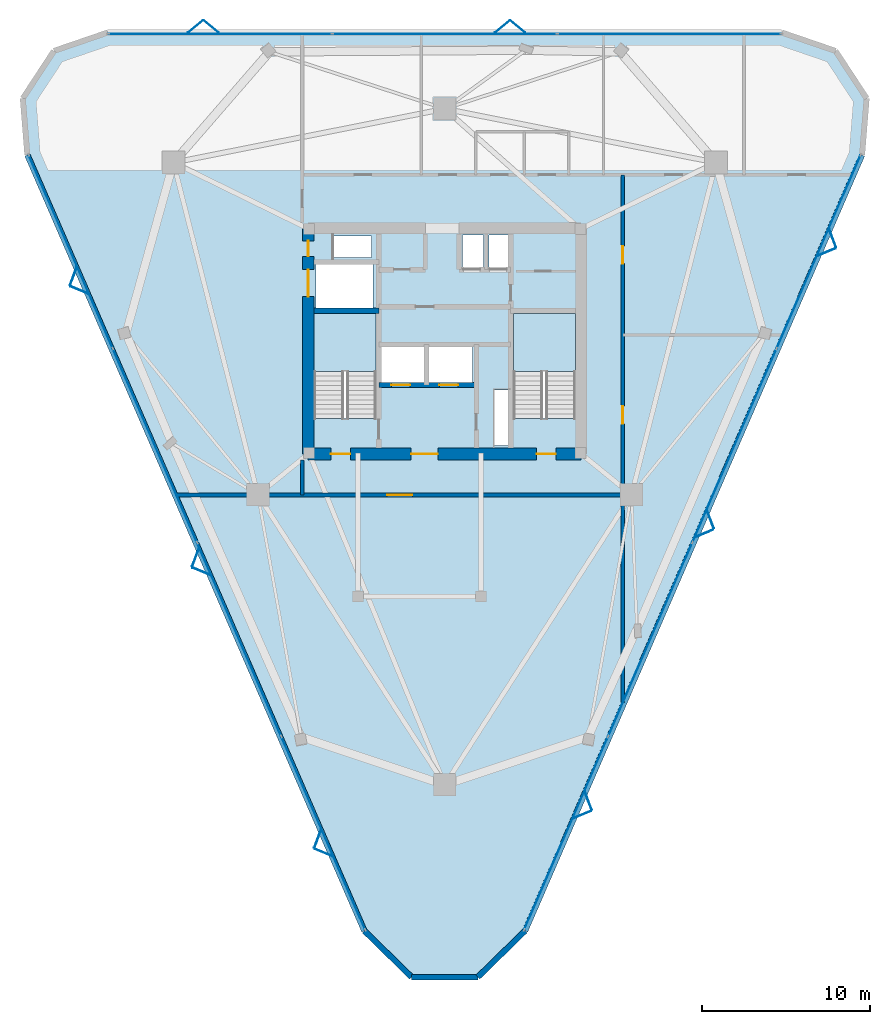
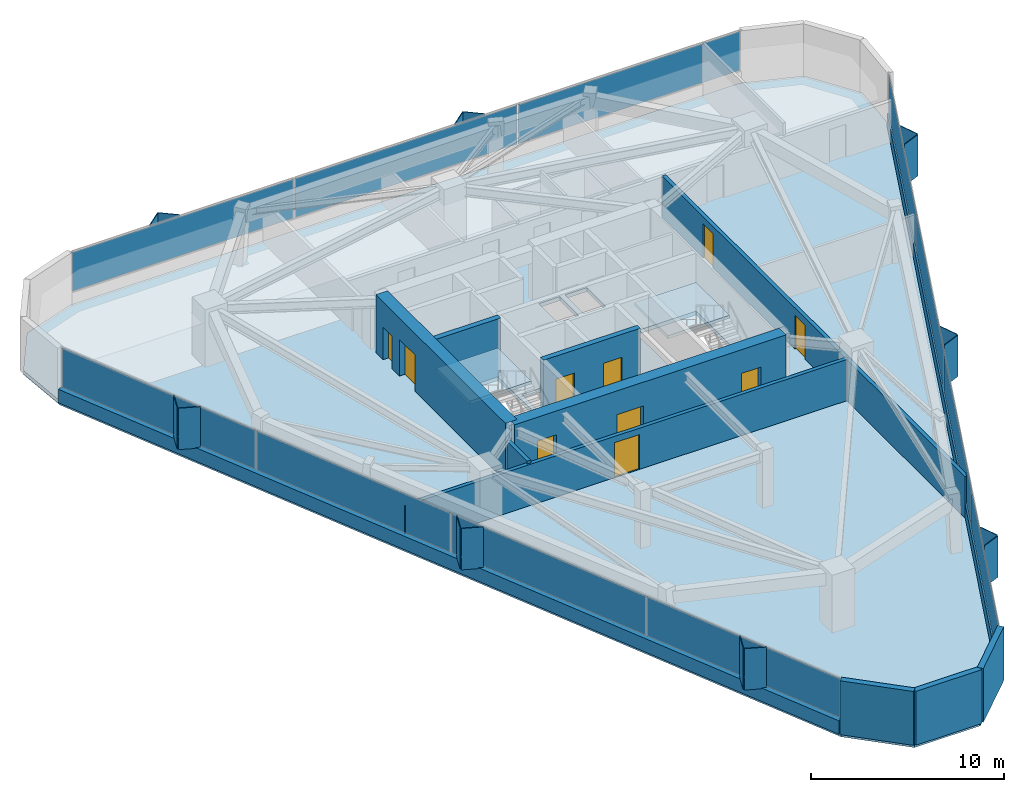
# One storey, part 9 of 13: 27 plates, 12 walls, 10 doors, 3 slabs, 10 openings, 5 elements without a shape of their own.
"""IFC4 building model written with IfcOpenShell, lengths in metres."""

from ifc_helpers import new_model, si_unit, direction, frame, frame_2d, origin, origin_2d, place, context, subcontext, project, spatial, polyline, rectangle, outline, extrude, material, layer, layer_set, type_object, element, fill, aggregate, save


model = new_model("IFC4")

# Units and contexts
model_context = context("Model", 3, precision=1e-05, world=origin(), true_north=direction((0.0, 1.0)))
body_context = subcontext(model_context, "Body", "Model", "MODEL_VIEW")
ifc_project = project(units=[si_unit("LENGTHUNIT", "METRE"), si_unit("AREAUNIT", "SQUARE_METRE"), si_unit("VOLUMEUNIT", "CUBIC_METRE"), si_unit("PLANEANGLEUNIT", "RADIAN"), si_unit("MASSUNIT", "GRAM", prefix="KILO")], contexts=[model_context])

# Site, building, storey
site_placement = place(None, origin())
site = spatial("IfcSite", under=ifc_project, at=site_placement, CompositionType="ELEMENT")
building_placement = place(site_placement, origin())
building = spatial("IfcBuilding", under=site, at=building_placement, Name="Talyreon Biosciences Tower", CompositionType="ELEMENT")
storey_placement = place(building_placement, frame((0.0, 0.0, 212.25)))
storey = spatial("IfcBuildingStorey", under=building, at=storey_placement, Name="L56", CompositionType="ELEMENT", Elevation=212.25)

# Curtain wall, plates
ifc_material_1 = material(Name="Thermally broken aluminium and low-E glazing", Category="aluminium")
ifc_layer_1 = layer(ifc_material_1, 0.179931640625)
ifc_layer_set_1 = layer_set([ifc_layer_1], Name="Thermally broken aluminium and low-E glazing")
curtain_wall_type = type_object("IfcCurtainWallType", Name="CurtainWall_Zone4Optical", PredefinedType="NOTDEFINED", material=ifc_layer_set_1)
curtain_wall_1_placement = place(storey_placement, origin())
curtain_wall_1 = element("IfcCurtainWall", 1, at=curtain_wall_1_placement, inside=storey, type_object=curtain_wall_type, Name="L56 Unitised Curtain Wall FCW-L56-00", PredefinedType="NOTDEFINED")
ifc_material_2 = material(Name="Triple-silver low-E insulated glazing", Category="glass")
ifc_layer_2 = layer(ifc_material_2, 0.031982421875)
ifc_layer_set_2 = layer_set([ifc_layer_2], Name="Triple-silver low-E insulated glazing")
plate_type_1 = type_object("IfcPlateType", Name="CWGlazingPanel_32", PredefinedType="CURTAIN_PANEL", material=ifc_layer_set_2)
plate_1_placement = place(storey_placement, frame((58.79736328125, 38.801513671875, 0.875), z_axis=(0.0, 0.0, 1.0), x_axis=(-0.398376473835, 0.917221993355, 0.0)))
plate_1 = element("IfcPlate", 2, at=plate_1_placement, type_object=plate_type_1, Name="CW5 panel 1.1", PredefinedType="CURTAIN_PANEL", context=body_context, shape_type="SweptSolid", body=[
    extrude(rectangle(XDim=12.453369140625, YDim=0.031982421875, at=origin_2d()), origin(), (0.0, 0.0, 1.0), 2.4599609375),
])
plate_2_placement = place(storey_placement, frame((53.8037109375, 50.298583984375, 0.875), z_axis=(0.0, 0.0, 1.0), x_axis=(-0.398376473835, 0.917221993355, 0.0)))
plate_2 = element("IfcPlate", 3, at=plate_2_placement, type_object=plate_type_1, Name="CW5 panel 2.1", PredefinedType="CURTAIN_PANEL", context=body_context, shape_type="SweptSolid", body=[
    extrude(rectangle(XDim=12.48583984375, YDim=0.031982421875, at=origin_2d()), origin(), (0.0, 0.0, 1.0), 2.4599609375),
])
plate_3_placement = place(storey_placement, frame((48.8037109375, 61.810791015625, 0.875), z_axis=(0.0, 0.0, 1.0), x_axis=(-0.398376473835, 0.917221993355, 0.0)))
plate_3 = element("IfcPlate", 4, at=plate_3_placement, type_object=plate_type_1, Name="CW5 panel 3.1", PredefinedType="CURTAIN_PANEL", context=body_context, shape_type="SweptSolid", body=[
    extrude(rectangle(XDim=12.48583984375, YDim=0.031982421875, at=origin_2d()), origin(), (0.0, 0.0, 1.0), 2.4599609375),
])
plate_4_placement = place(storey_placement, frame((43.810302734375, 73.307861328125, 0.875), z_axis=(0.0, 0.0, 1.0), x_axis=(-0.398376473835, 0.917221993355, 0.0)))
plate_4 = element("IfcPlate", 5, at=plate_4_placement, type_object=plate_type_1, Name="CW5 panel 4.1", PredefinedType="CURTAIN_PANEL", context=body_context, shape_type="SweptSolid", body=[
    extrude(rectangle(XDim=12.453369140625, YDim=0.031982421875, at=origin_2d()), origin(), (0.0, 0.0, 1.0), 2.4599609375),
])
aggregate(curtain_wall_1, [plate_1, plate_2, plate_3, plate_4])

curtain_wall_2_placement = place(storey_placement, origin())
curtain_wall_2 = element("IfcCurtainWall", 6, at=curtain_wall_2_placement, inside=storey, type_object=curtain_wall_type, Name="L56 Unitised Curtain Wall FCW-L56-04", PredefinedType="NOTDEFINED")
plate_5_placement = place(storey_placement, frame((52.682861328125, 86.23828125, 0.875), z_axis=(0.0, 0.0, 1.0), x_axis=(1.0, 0.0, 0.0)))
plate_5 = element("IfcPlate", 7, at=plate_5_placement, type_object=plate_type_1, Name="CW5 panel 1.1", PredefinedType="CURTAIN_PANEL", context=body_context, shape_type="SweptSolid", body=[
    extrude(rectangle(XDim=13.23583984375, YDim=0.031982421875, at=origin_2d()), origin(), (0.0, 0.0, 1.0), 2.4599609375),
])
plate_6_placement = place(storey_placement, frame((66.0, 86.23828125, 0.875), z_axis=(0.0, 0.0, 1.0), x_axis=(1.0, 0.0, 0.0)))
plate_6 = element("IfcPlate", 8, at=plate_6_placement, type_object=plate_type_1, Name="CW5 panel 2.1", PredefinedType="CURTAIN_PANEL", context=body_context, shape_type="SweptSolid", body=[
    extrude(rectangle(XDim=13.268310546875, YDim=0.031982421875, at=origin_2d()), origin(), (0.0, 0.0, 1.0), 2.4599609375),
])
plate_7_placement = place(storey_placement, frame((79.317138671875, 86.23828125, 0.875), z_axis=(0.0, 0.0, 1.0), x_axis=(1.0, 0.0, 0.0)))
plate_7 = element("IfcPlate", 9, at=plate_7_placement, type_object=plate_type_1, Name="CW5 panel 3.1", PredefinedType="CURTAIN_PANEL", context=body_context, shape_type="SweptSolid", body=[
    extrude(rectangle(XDim=13.23583984375, YDim=0.031982421875, at=origin_2d()), origin(), (0.0, 0.0, 1.0), 2.4599609375),
])
aggregate(curtain_wall_2, [plate_5, plate_6, plate_7])

curtain_wall_3_placement = place(storey_placement, origin())
curtain_wall_3 = element("IfcCurtainWall", 10, at=curtain_wall_3_placement, inside=storey, type_object=curtain_wall_type, Name="L56 Unitised Curtain Wall FCW-L56-08", PredefinedType="NOTDEFINED")
plate_8_placement = place(storey_placement, frame((88.189697265625, 73.307861328125, 0.875), z_axis=(0.0, 0.0, 1.0), x_axis=(-0.398376473835, -0.917221993355, 0.0)))
plate_8 = element("IfcPlate", 11, at=plate_8_placement, type_object=plate_type_1, Name="CW5 panel 1.1", PredefinedType="CURTAIN_PANEL", context=body_context, shape_type="SweptSolid", body=[
    extrude(rectangle(XDim=12.453369140625, YDim=0.031982421875, at=origin_2d()), origin(), (0.0, 0.0, 1.0), 2.4599609375),
])
plate_9_placement = place(storey_placement, frame((83.1962890625, 61.810791015625, 0.875), z_axis=(0.0, 0.0, 1.0), x_axis=(-0.398376473835, -0.917221993355, 0.0)))
plate_9 = element("IfcPlate", 12, at=plate_9_placement, type_object=plate_type_1, Name="CW5 panel 2.1", PredefinedType="CURTAIN_PANEL", context=body_context, shape_type="SweptSolid", body=[
    extrude(rectangle(XDim=12.48583984375, YDim=0.031982421875, at=origin_2d()), origin(), (0.0, 0.0, 1.0), 2.4599609375),
])
plate_10_placement = place(storey_placement, frame((78.1962890625, 50.298583984375, 0.875), z_axis=(0.0, 0.0, 1.0), x_axis=(-0.398376473835, -0.917221993355, 0.0)))
plate_10 = element("IfcPlate", 13, at=plate_10_placement, type_object=plate_type_1, Name="CW5 panel 3.1", PredefinedType="CURTAIN_PANEL", context=body_context, shape_type="SweptSolid", body=[
    extrude(rectangle(XDim=12.48583984375, YDim=0.031982421875, at=origin_2d()), origin(), (0.0, 0.0, 1.0), 2.4599609375),
])
plate_11_placement = place(storey_placement, frame((73.20263671875, 38.801513671875, 0.875), z_axis=(0.0, 0.0, 1.0), x_axis=(-0.398376473835, -0.917221993355, 0.0)))
plate_11 = element("IfcPlate", 14, at=plate_11_placement, type_object=plate_type_1, Name="CW5 panel 4.1", PredefinedType="CURTAIN_PANEL", context=body_context, shape_type="SweptSolid", body=[
    extrude(rectangle(XDim=12.453369140625, YDim=0.031982421875, at=origin_2d()), origin(), (0.0, 0.0, 1.0), 2.4599609375),
])
aggregate(curtain_wall_3, [plate_8, plate_9, plate_10, plate_11])

# Slab
ifc_material_3 = material(Name="Concrete C40/50", Category="concrete")
ifc_layer_3 = layer(ifc_material_3, 0.25)
ifc_layer_set_3 = layer_set([ifc_layer_3], Name="Concrete C40/50")
slab_type_1 = type_object("IfcSlabType", Name="DryLabFloorSlab_250", PredefinedType="FLOOR", material=ifc_layer_set_3)
slab_1_placement = place(storey_placement, frame((0.0, 0.0, -0.25)))
element("IfcSlab", 15, at=slab_1_placement, inside=storey, type_object=slab_type_1, Name="L56 Structural Floor Slab", PredefinedType="FLOOR", context=body_context, shape_type="SweptSolid", body=[
    extrude(outline(polyline([(61.23046875, 32.998779296875), (41.23046875, 79.046875), (40.962158203125, 82.406982421875), (42.81103515625, 85.225830078125), (46.0, 86.318359375), (86.0, 86.318359375), (89.18896484375, 85.225830078125), (91.037841796875, 82.406982421875), (90.76953125, 79.046875), (70.76953125, 32.998779296875), (67.962646484375, 30.2548828125), (64.037353515625, 30.2548828125), (61.23046875, 32.998779296875)]), holes=[polyline([(69.820068359375, 65.10009765625), (69.820068359375, 61.800048828125), (68.9599609375, 61.800048828125), (68.9599609375, 65.10009765625), (69.820068359375, 65.10009765625)]), polyline([(61.929931640625, 69.64990234375), (61.929931640625, 63.407958984375), (58.25, 63.407958984375), (58.25, 69.64990234375), (61.929931640625, 69.64990234375)]), polyline([(73.75, 69.64990234375), (73.75, 63.407958984375), (70.070068359375, 63.407958984375), (70.070068359375, 69.64990234375), (73.75, 69.64990234375)]), polyline([(64.800048828125, 67.64990234375), (64.800048828125, 65.550048828125), (62.199951171875, 65.550048828125), (62.199951171875, 67.64990234375), (64.800048828125, 67.64990234375)]), polyline([(67.64990234375, 67.64990234375), (67.64990234375, 65.550048828125), (65.050048828125, 65.550048828125), (65.050048828125, 67.64990234375), (67.64990234375, 67.64990234375)]), polyline([(61.75, 72.550048828125), (61.75, 69.97998046875), (58.35009765625, 69.97998046875), (58.35009765625, 72.550048828125), (61.75, 72.550048828125)]), polyline([(68.300048828125, 74.300048828125), (68.300048828125, 72.35009765625), (67.050048828125, 72.35009765625), (67.050048828125, 74.300048828125), (68.300048828125, 74.300048828125)]), polyline([(69.919921875, 72.35009765625), (68.6201171875, 72.35009765625), (68.6201171875, 74.300048828125), (69.919921875, 74.300048828125), (69.919921875, 72.35009765625)]), polyline([(61.64990234375, 72.9599609375), (59.39990234375, 72.9599609375), (59.39990234375, 74.25), (61.64990234375, 74.25), (61.64990234375, 72.9599609375)])]), origin(), (0.0, 0.0, 1.0), 0.25),
])

# Plates
ifc_material_4 = material(Name="Ivory GFRC sunshade panel", Category="concrete")
ifc_layer_4 = layer(ifc_material_4, 0.044921875)
ifc_layer_set_4 = layer_set([ifc_layer_4], Name="Ivory GFRC sunshade panel")
plate_type_2 = type_object("IfcPlateType", Name="FoldedVSunshade_NorthFace_SUNSHADE", PredefinedType="USERDEFINED", material=ifc_layer_set_4)
for number, where, z_axis, x_axis, name in (
    (16, (51.219970703125, 86.678466796875, 0.7900390625), (0.0, 0.0, 1.0), (0.771624583388, 0.636078220278, 0.0), "L56 Folded V-Sunshade Panel 04.01L"),
    (17, (52.1201171875, 86.678466796875, 0.7900390625), (0.0, 0.0, 1.0), (0.771624583388, -0.636078220278, 0.0), "L56 Folded V-Sunshade Panel 04.01R"),
    (18, (69.419921875, 86.678466796875, 0.7900390625), (0.0, 0.0, 1.0), (0.771624583388, 0.636078220278, 0.0), "L56 Folded V-Sunshade Panel 04.02L"),
    (19, (70.320068359375, 86.678466796875, 0.7900390625), (0.0, 0.0, 1.0), (0.771624583388, -0.636078220278, 0.0), "L56 Folded V-Sunshade Panel 04.02R"),
):
    element("IfcPlate", number, at=place(storey_placement, frame(where, z_axis=z_axis, x_axis=x_axis)), inside=storey, type_object=plate_type_2, Name=name, ObjectType="SUNSHADE", PredefinedType="USERDEFINED", context=body_context, shape_type="SweptSolid", body=[
        extrude(rectangle(XDim=1.14990234375, YDim=0.044921875, at=origin_2d()), origin(), (0.0, 0.0, 1.0), 2.610107421875),
    ])
ifc_layer_5 = layer(ifc_material_4, 0.044921875)
ifc_layer_set_5 = layer_set([ifc_layer_5], Name="Ivory GFRC sunshade panel")
plate_type_3 = type_object("IfcPlateType", Name="FoldedVSunshade_SunFace_SUNSHADE", PredefinedType="USERDEFINED", material=ifc_layer_set_5)
for number, where, z_axis, x_axis, name in (
    (20, (58.82080078125, 37.643310546875, 0.7900390625), (0.0, 0.0, 1.0), (-0.923725839102, 0.383054270536, 0.0), "L56 Folded V-Sunshade Panel 00.01L"),
    (21, (58.462158203125, 38.46875, 0.7900390625), (0.0, 0.0, 1.0), (0.350583357348, 0.93653153153, 0.0), "L56 Folded V-Sunshade Panel 00.01R"),
    (22, (51.5703125, 54.336669921875, 0.7900390625), (0.0, 0.0, 1.0), (-0.923725839102, 0.383054270536, 0.0), "L56 Folded V-Sunshade Panel 00.02L"),
    (23, (51.211669921875, 55.162109375, 0.7900390625), (0.0, 0.0, 1.0), (0.350583357348, 0.93653153153, 0.0), "L56 Folded V-Sunshade Panel 00.02R"),
    (24, (44.31982421875, 71.0302734375, 0.7900390625), (0.0, 0.0, 1.0), (-0.923725839102, 0.383054270536, 0.0), "L56 Folded V-Sunshade Panel 00.03L"),
    (25, (43.961181640625, 71.855712890625, 0.7900390625), (0.0, 0.0, 1.0), (0.350583357348, 0.93653153153, 0.0), "L56 Folded V-Sunshade Panel 00.03R"),
    (26, (89.020263671875, 74.115478515625, 0.7900390625), (0.0, 0.0, 1.0), (0.350583357348, -0.93653153153, 0.0), "L56 Folded V-Sunshade Panel 08.01L"),
    (27, (88.66162109375, 73.2900390625, 0.7900390625), (0.0, 0.0, 1.0), (-0.923725839102, -0.383054270536, 0.0), "L56 Folded V-Sunshade Panel 08.01R"),
    (28, (81.769775390625, 57.422119140625, 0.7900390625), (0.0, 0.0, 1.0), (0.350583357348, -0.93653153153, 0.0), "L56 Folded V-Sunshade Panel 08.02L"),
    (29, (81.411376953125, 56.596435546875, 0.7900390625), (0.0, 0.0, 1.0), (-0.923725839102, -0.383054270536, 0.0), "L56 Folded V-Sunshade Panel 08.02R"),
    (30, (74.519287109375, 40.728515625, 0.7900390625), (0.0, 0.0, 1.0), (0.350583357348, -0.93653153153, 0.0), "L56 Folded V-Sunshade Panel 08.03L"),
    (31, (74.160888671875, 39.903076171875, 0.7900390625), (0.0, 0.0, 1.0), (-0.923725839102, -0.383054270536, 0.0), "L56 Folded V-Sunshade Panel 08.03R"),
):
    element("IfcPlate", number, at=place(storey_placement, frame(where, z_axis=z_axis, x_axis=x_axis)), inside=storey, type_object=plate_type_3, Name=name, ObjectType="SUNSHADE", PredefinedType="USERDEFINED", context=body_context, shape_type="SweptSolid", body=[
        extrude(rectangle(XDim=1.14990234375, YDim=0.044921875, at=origin_2d()), origin(), (0.0, 0.0, 1.0), 2.610107421875),
    ])

# Stair, slab
stair_type = type_object("IfcStairType", Name="DoglegEscapeStair_3650", PredefinedType="HALF_TURN_STAIR", material=ifc_material_3)
stair_1_placement = place(storey_placement, origin())
stair_1 = element("IfcStair", 32, at=stair_1_placement, inside=storey, type_object=stair_type, Name="L56 Core Escape Stair 1", PredefinedType="HALF_TURN_STAIR")
ifc_layer_6 = layer(ifc_material_3, 0.199951171875)
ifc_layer_set_6 = layer_set([ifc_layer_6], Name="Concrete C40/50")
slab_type_2 = type_object("IfcSlabType", Name="StairLandingSlab_200", PredefinedType="LANDING", material=ifc_layer_set_6)
slab_2_placement = place(storey_placement, frame((0.0, 0.0, 1.625)))
slab_2 = element("IfcSlab", 33, at=slab_2_placement, type_object=slab_type_2, Name="ST-1 landing 1", PredefinedType="LANDING", context=body_context, shape_type="SweptSolid", body=[
    extrude(outline(polyline([(61.929931640625, 66.199951171875), (61.929931640625, 69.64990234375), (58.25, 69.64990234375), (58.25, 66.199951171875), (61.929931640625, 66.199951171875)])), origin(), (0.0, 0.0, 1.0), 0.199951171875),
])
aggregate(stair_1, [slab_2])

stair_2_placement = place(storey_placement, origin())
stair_2 = element("IfcStair", 34, at=stair_2_placement, inside=storey, type_object=stair_type, Name="L56 Core Escape Stair 2", PredefinedType="HALF_TURN_STAIR")
slab_3_placement = place(storey_placement, frame((0.0, 0.0, 1.625)))
slab_3 = element("IfcSlab", 35, at=slab_3_placement, type_object=slab_type_2, Name="ST-2 landing 1", PredefinedType="LANDING", context=body_context, shape_type="SweptSolid", body=[
    extrude(outline(polyline([(73.75, 66.199951171875), (73.75, 69.64990234375), (70.070068359375, 69.64990234375), (70.070068359375, 66.199951171875), (73.75, 66.199951171875)])), origin(), (0.0, 0.0, 1.0), 0.199951171875),
])
aggregate(stair_2, [slab_3])

# Wall
ifc_material_5 = material(Name="Concrete C50/60", Category="concrete")
ifc_layer_7 = layer(ifc_material_5, 0.320068359375)
ifc_layer_set_7 = layer_set([ifc_layer_7], Name="Concrete C50/60")
wall_type_1 = type_object("IfcWallType", Name="CoreShearWall_320", PredefinedType="SHEAR", material=ifc_layer_set_7)
wall_1_placement = place(storey_placement, frame((58.25, 69.81005859375, 0.0), z_axis=(0.0, 0.0, 1.0), x_axis=(1.0, 0.0, 0.0)))
element("IfcWall", 36, at=wall_1_placement, inside=storey, type_object=wall_type_1, Name="L56 Core Shaft Wall SW1N", PredefinedType="SHEAR", context=body_context, shape_type="SweptSolid", body=[
    extrude(rectangle(XDim=3.840087890625, YDim=0.320068359375, at=frame_2d((1.919921875, 0.0))), origin(), (0.0, 0.0, 1.0), 3.64990234375),
])

# Wall, openings, doors
wall_2_placement = place(storey_placement, frame((62.090087890625, 65.39990234375, 0.0), z_axis=(0.0, 0.0, 1.0), x_axis=(1.0, 0.0, 0.0)))
wall_2 = element("IfcWall", 37, at=wall_2_placement, inside=storey, type_object=wall_type_1, Name="L56 Core Shaft Wall SWFFN", PredefinedType="SHEAR", context=body_context, shape_type="SweptSolid", body=[
    extrude(rectangle(XDim=5.789794921875, YDim=0.320068359375, at=frame_2d((2.89501953125, 0.0))), origin(), (0.0, 0.0, 1.0), 3.64990234375),
])
opening_1_placement = place(wall_2_placement, frame((0.75, 0.0, 0.0)))
opening_1 = element("IfcOpeningElement", 38, at=opening_1_placement, cuts=wall_2, Name="Opening LD-L56-FL1", PredefinedType="OPENING", context=body_context, shape_type="SweptSolid", body=[
    extrude(rectangle(XDim=1.10009765625, YDim=2.199951171875, at=frame_2d((0.550048828125, 1.10009765625))), frame((0.0, 0.169921875, 0.0), z_axis=(0.0, -1.0, 0.0), x_axis=(1.0, 0.0, 0.0)), (0.0, 0.0, 1.0), 0.340087890625),
])
opening_2_placement = place(wall_2_placement, frame((3.60009765625, 0.0, 0.0)))
opening_2 = element("IfcOpeningElement", 39, at=opening_2_placement, cuts=wall_2, Name="Opening LD-L56-FL2", PredefinedType="OPENING", context=body_context, shape_type="SweptSolid", body=[
    extrude(rectangle(XDim=1.10009765625, YDim=2.199951171875, at=frame_2d((0.550048828125, 1.10009765625))), frame((0.0, 0.169921875, 0.0), z_axis=(0.0, -1.0, 0.0), x_axis=(1.0, 0.0, 0.0)), (0.0, 0.0, 1.0), 0.340087890625),
])
ifc_material_6 = material(Name="Brushed stainless-steel lift landing door", Category="steel")
door_type_1 = type_object("IfcDoorType", Name="LiftSlidingLandingDoor_1100x2200", OperationType="SLIDING_TO_LEFT", PredefinedType="DOOR", material=ifc_material_6)
door_1_placement = place(opening_1_placement, origin())
door_1 = element("IfcDoor", 40, at=door_1_placement, inside=storey, type_object=door_type_1, Name="L56 Core Door LD-L56-FL1", OperationType="SLIDING_TO_LEFT", OverallHeight=2.199951171875, OverallWidth=1.10009765625, PredefinedType="DOOR", context=body_context, shape_type="SweptSolid", body=[
    extrude(rectangle(XDim=1.10009765625, YDim=2.199951171875, at=frame_2d((0.550048828125, 1.10009765625))), frame((0.0, 0.02490234375, 0.0), z_axis=(0.0, -1.0, 0.0), x_axis=(1.0, 0.0, 0.0)), (0.0, 0.0, 1.0), 0.050048828125),
])
fill(opening_1, door_1)
door_2_placement = place(opening_2_placement, origin())
door_2 = element("IfcDoor", 41, at=door_2_placement, inside=storey, type_object=door_type_1, Name="L56 Core Door LD-L56-FL2", OperationType="SLIDING_TO_LEFT", OverallHeight=2.199951171875, OverallWidth=1.10009765625, PredefinedType="DOOR", context=body_context, shape_type="SweptSolid", body=[
    extrude(rectangle(XDim=1.10009765625, YDim=2.199951171875, at=frame_2d((0.550048828125, 1.10009765625))), frame((0.0, 0.02490234375, 0.0), z_axis=(0.0, -1.0, 0.0), x_axis=(1.0, 0.0, 0.0)), (0.0, 0.0, 1.0), 0.050048828125),
])
fill(opening_2, door_2)

ifc_layer_8 = layer(ifc_material_5, 0.699951171875)
ifc_layer_set_8 = layer_set([ifc_layer_8], Name="Concrete C50/60")
wall_type_2 = type_object("IfcWallType", Name="CoreShearWall_700", PredefinedType="SHEAR", material=ifc_layer_set_8)
wall_3_placement = place(storey_placement, frame((57.89990234375, 61.300048828125, 0.0), z_axis=(0.0, 0.0, 1.0), x_axis=(1.0, 0.0, 0.0)))
wall_3 = element("IfcWall", 42, at=wall_3_placement, inside=storey, type_object=wall_type_2, Name="L56 Core Shear Wall S", PredefinedType="SHEAR", context=body_context, shape_type="SweptSolid", body=[
    extrude(rectangle(XDim=16.2001953125, YDim=0.699951171875, at=frame_2d((8.10009765625, 0.0))), origin(), (0.0, 0.0, 1.0), 3.64990234375),
])
opening_3_placement = place(wall_3_placement, frame((1.35009765625, 0.0, 0.0)))
opening_3 = element("IfcOpeningElement", 43, at=opening_3_placement, cuts=wall_3, Name="Opening DR-L56-ST1", PredefinedType="OPENING", context=body_context, shape_type="SweptSolid", body=[
    extrude(rectangle(XDim=1.14990234375, YDim=2.14990234375, at=frame_2d((0.574951171875, 1.074951171875))), frame((0.0, 0.35986328125, 0.0), z_axis=(0.0, -1.0, 0.0), x_axis=(1.0, 0.0, 0.0)), (0.0, 0.0, 1.0), 0.719970703125),
])
opening_4_placement = place(wall_3_placement, frame((6.10009765625, 0.0, 0.0)))
opening_4 = element("IfcOpeningElement", 44, at=opening_4_placement, cuts=wall_3, Name="Opening DR-L56-FFL", PredefinedType="OPENING", context=body_context, shape_type="SweptSolid", body=[
    extrude(rectangle(XDim=1.60009765625, YDim=2.14990234375, at=frame_2d((0.800048828125, 1.074951171875))), frame((0.0, 0.35986328125, 0.0), z_axis=(0.0, -1.0, 0.0), x_axis=(1.0, 0.0, 0.0)), (0.0, 0.0, 1.0), 0.719970703125),
])
opening_5_placement = place(wall_3_placement, frame((13.550048828125, 0.0, 0.0)))
opening_5 = element("IfcOpeningElement", 45, at=opening_5_placement, cuts=wall_3, Name="Opening DR-L56-ST2", PredefinedType="OPENING", context=body_context, shape_type="SweptSolid", body=[
    extrude(rectangle(XDim=1.14990234375, YDim=2.14990234375, at=frame_2d((0.574951171875, 1.074951171875))), frame((0.0, 0.35986328125, 0.0), z_axis=(0.0, -1.0, 0.0), x_axis=(1.0, 0.0, 0.0)), (0.0, 0.0, 1.0), 0.719970703125),
])
ifc_material_7 = material(Name="Painted steel smoke-seal fire door", Category="steel")
door_type_2 = type_object("IfcDoorType", Name="FirefightingLobbyDoubleDoor_1600x2150", OperationType="DOUBLE_DOOR_SINGLE_SWING", PredefinedType="DOOR", material=ifc_material_7)
door_3_placement = place(opening_4_placement, origin())
door_3 = element("IfcDoor", 46, at=door_3_placement, inside=storey, type_object=door_type_2, Name="L56 Core Door DR-L56-FFL", OperationType="DOUBLE_DOOR_SINGLE_SWING", OverallHeight=2.14990234375, OverallWidth=1.60009765625, PredefinedType="DOOR", context=body_context, shape_type="SweptSolid", body=[
    extrude(rectangle(XDim=1.60009765625, YDim=2.14990234375, at=frame_2d((0.800048828125, 1.074951171875))), frame((0.0, 0.02490234375, 0.0), z_axis=(0.0, -1.0, 0.0), x_axis=(1.0, 0.0, 0.0)), (0.0, 0.0, 1.0), 0.050048828125),
])
fill(opening_4, door_3)
ifc_material_8 = material(Name="Painted steel fire door", Category="steel")
door_type_3 = type_object("IfcDoorType", Name="StairShaftFireDoor_1150x2150", OperationType="NOTDEFINED", PredefinedType="DOOR", material=ifc_material_8)
door_4_placement = place(opening_3_placement, origin())
door_4 = element("IfcDoor", 47, at=door_4_placement, inside=storey, type_object=door_type_3, Name="L56 Core Door DR-L56-ST1", OperationType="SINGLE_SWING_LEFT", OverallHeight=2.14990234375, OverallWidth=1.14990234375, PredefinedType="DOOR", context=body_context, shape_type="SweptSolid", body=[
    extrude(rectangle(XDim=1.14990234375, YDim=2.14990234375, at=frame_2d((0.574951171875, 1.074951171875))), frame((0.0, 0.02490234375, 0.0), z_axis=(0.0, -1.0, 0.0), x_axis=(1.0, 0.0, 0.0)), (0.0, 0.0, 1.0), 0.050048828125),
])
fill(opening_3, door_4)
door_5_placement = place(opening_5_placement, origin())
door_5 = element("IfcDoor", 48, at=door_5_placement, inside=storey, type_object=door_type_3, Name="L56 Core Door DR-L56-ST2", OperationType="SINGLE_SWING_RIGHT", OverallHeight=2.14990234375, OverallWidth=1.14990234375, PredefinedType="DOOR", context=body_context, shape_type="SweptSolid", body=[
    extrude(rectangle(XDim=1.14990234375, YDim=2.14990234375, at=frame_2d((0.574951171875, 1.074951171875))), frame((0.0, 0.02490234375, 0.0), z_axis=(0.0, -1.0, 0.0), x_axis=(1.0, 0.0, 0.0)), (0.0, 0.0, 1.0), 0.050048828125),
])
fill(opening_5, door_5)

wall_4_placement = place(storey_placement, frame((57.89990234375, 74.699951171875, 0.0), z_axis=(0.0, 0.0, 1.0), x_axis=(0.0, -1.0, 0.0)))
wall_4 = element("IfcWall", 49, at=wall_4_placement, inside=storey, type_object=wall_type_2, Name="L56 Core Shear Wall W", PredefinedType="SHEAR", context=body_context, shape_type="SweptSolid", body=[
    extrude(rectangle(XDim=13.39990234375, YDim=0.699951171875, at=frame_2d((6.699951171875, 0.0))), origin(), (0.0, 0.0, 1.0), 3.64990234375),
])
opening_6_placement = place(wall_4_placement, frame((0.75, 0.0, 0.0)))
opening_6 = element("IfcOpeningElement", 50, at=opening_6_placement, cuts=wall_4, Name="Opening DR-L56-RSW", PredefinedType="OPENING", context=body_context, shape_type="SweptSolid", body=[
    extrude(rectangle(XDim=0.919921875, YDim=2.050048828125, at=frame_2d((0.4599609375, 1.02490234375))), frame((0.0, 0.35986328125, 0.0), z_axis=(0.0, -1.0, 0.0), x_axis=(1.0, 0.0, 0.0)), (0.0, 0.0, 1.0), 0.719970703125),
])
opening_7_placement = place(wall_4_placement, frame((2.449951171875, 0.0, 0.0)))
opening_7 = element("IfcOpeningElement", 51, at=opening_7_placement, cuts=wall_4, Name="Opening LD-L56-GL1", PredefinedType="OPENING", context=body_context, shape_type="SweptSolid", body=[
    extrude(rectangle(XDim=1.60009765625, YDim=2.300048828125, at=frame_2d((0.800048828125, 1.14990234375))), frame((0.0, 0.35986328125, 0.0), z_axis=(0.0, -1.0, 0.0), x_axis=(1.0, 0.0, 0.0)), (0.0, 0.0, 1.0), 0.719970703125),
])
ifc_material_9 = material(Name="Heavy-duty stainless-steel goods lift door", Category="steel")
door_type_4 = type_object("IfcDoorType", Name="GoodsLiftSlidingDoor_1600x2300", OperationType="DOUBLE_DOOR_SLIDING", PredefinedType="DOOR", material=ifc_material_9)
door_6_placement = place(opening_7_placement, origin())
door_6 = element("IfcDoor", 52, at=door_6_placement, inside=storey, type_object=door_type_4, Name="L56 Core Door LD-L56-GL1", OperationType="DOUBLE_DOOR_SLIDING", OverallHeight=2.300048828125, OverallWidth=1.60009765625, PredefinedType="DOOR", context=body_context, shape_type="SweptSolid", body=[
    extrude(rectangle(XDim=1.60009765625, YDim=2.300048828125, at=frame_2d((0.800048828125, 1.14990234375))), frame((0.0, 0.02490234375, 0.0), z_axis=(0.0, -1.0, 0.0), x_axis=(1.0, 0.0, 0.0)), (0.0, 0.0, 1.0), 0.050048828125),
])
fill(opening_7, door_6)
ifc_material_10 = material(Name="Painted steel fire-rated riser door", Category="steel")
door_type_5 = type_object("IfcDoorType", Name="RiserPlantAccessDoor_920x2050", OperationType="NOTDEFINED", PredefinedType="DOOR", material=ifc_material_10)
door_7_placement = place(opening_6_placement, origin())
door_7 = element("IfcDoor", 53, at=door_7_placement, inside=storey, type_object=door_type_5, Name="L56 Core Door DR-L56-RSW", OperationType="SINGLE_SWING_LEFT", OverallHeight=2.050048828125, OverallWidth=0.919921875, PredefinedType="DOOR", context=body_context, shape_type="SweptSolid", body=[
    extrude(rectangle(XDim=0.919921875, YDim=2.050048828125, at=frame_2d((0.4599609375, 1.02490234375))), frame((0.0, 0.02490234375, 0.0), z_axis=(0.0, -1.0, 0.0), x_axis=(1.0, 0.0, 0.0)), (0.0, 0.0, 1.0), 0.050048828125),
])
fill(opening_6, door_7)

# Wall, opening, door
ifc_material_11 = material(Name="Gypsum fireboard acoustic stud", Category="gypsum")
ifc_layer_9 = layer(ifc_material_11, 0.219970703125)
ifc_layer_set_9 = layer_set([ifc_layer_9], Name="Gypsum fireboard acoustic stud")
wall_type_3 = type_object("IfcWallType", Name="CorridorRatedPartition_220", PredefinedType="PARTITIONING", material=ifc_layer_set_9)
wall_5_placement = place(storey_placement, frame((50.08642578125, 58.8701171875, 0.0), z_axis=(0.0, 0.0, 1.0), x_axis=(1.0, 0.0, 0.0)))
wall_5 = element("IfcWall", 54, at=wall_5_placement, inside=storey, type_object=wall_type_3, Name="L56 Interior Wall IW-L56-COR-S", PredefinedType="PARTITIONING", context=body_context, shape_type="SweptSolid", body=[
    extrude(rectangle(XDim=26.483642578125, YDim=0.219970703125, at=frame_2d((13.24169921875, 0.0))), origin(), (0.0, 0.0, 1.0), 2.60009765625),
])
opening_8_placement = place(wall_5_placement, frame((12.491943359375, 0.0, 0.0)))
opening_8 = element("IfcOpeningElement", 55, at=opening_8_placement, cuts=wall_5, Name="Opening DR-L56-S1A", PredefinedType="OPENING", context=body_context, shape_type="SweptSolid", body=[
    extrude(rectangle(XDim=1.5, YDim=2.199951171875, at=frame_2d((0.75, 1.10009765625))), frame((0.0, 0.119873046875, 0.0), z_axis=(0.0, -1.0, 0.0), x_axis=(1.0, 0.0, 0.0)), (0.0, 0.0, 1.0), 0.239990234375),
])
ifc_material_12 = material(Name="Vision-panel steel laboratory fire door", Category="steel")
door_type_6 = type_object("IfcDoorType", Name="WetLabDoubleLeafDoor_1500x2200", OperationType="DOUBLE_DOOR_SINGLE_SWING", PredefinedType="DOOR", material=ifc_material_12)
door_8_placement = place(opening_8_placement, origin())
door_8 = element("IfcDoor", 56, at=door_8_placement, inside=storey, type_object=door_type_6, Name="L56 Interior Door DR-L56-S1A", OperationType="DOUBLE_DOOR_SINGLE_SWING", OverallHeight=2.199951171875, OverallWidth=1.5, PredefinedType="DOOR", context=body_context, shape_type="SweptSolid", body=[
    extrude(rectangle(XDim=1.5, YDim=2.199951171875, at=frame_2d((0.75, 1.10009765625))), frame((0.0, 0.02490234375, 0.0), z_axis=(0.0, -1.0, 0.0), x_axis=(1.0, 0.0, 0.0)), (0.0, 0.0, 1.0), 0.050048828125),
])
fill(opening_8, door_8)

# Wall
wall_6_placement = place(storey_placement, frame((57.550048828125, 58.8701171875, 0.0), z_axis=(0.0, 0.0, 1.0), x_axis=(0.0, 1.0, 0.0)))
element("IfcWall", 57, at=wall_6_placement, inside=storey, type_object=wall_type_3, Name="L56 Interior Wall IW-L56-WCAP-S", PredefinedType="PARTITIONING", context=body_context, shape_type="SweptSolid", body=[
    extrude(rectangle(XDim=2.079833984375, YDim=0.219970703125, at=frame_2d((1.0400390625, 0.0))), origin(), (0.0, 0.0, 1.0), 2.780029296875),
])

# Wall, openings, doors
wall_7_placement = place(storey_placement, frame((76.570068359375, 46.56689453125, 0.0), z_axis=(0.0, 0.0, 1.0), x_axis=(0.0, 1.0, 0.0)))
wall_7 = element("IfcWall", 58, at=wall_7_placement, inside=storey, type_object=wall_type_3, Name="L56 Interior Wall IW-L56-COR-E", PredefinedType="PARTITIONING", context=body_context, shape_type="SweptSolid", body=[
    extrude(rectangle(XDim=31.30322265625, YDim=0.219970703125, at=frame_2d((15.651611328125, 0.0))), origin(), (0.0, 0.0, 1.0), 2.60009765625),
])
opening_9_placement = place(wall_7_placement, frame((16.528076171875, 0.0, 0.0)))
opening_9 = element("IfcOpeningElement", 59, at=opening_9_placement, cuts=wall_7, Name="Opening DR-L56-E1A", PredefinedType="OPENING", context=body_context, shape_type="SweptSolid", body=[
    extrude(rectangle(XDim=1.050048828125, YDim=2.14990234375, at=frame_2d((0.52490234375, 1.074951171875))), frame((0.0, 0.119873046875, 0.0), z_axis=(0.0, -1.0, 0.0), x_axis=(1.0, 0.0, 0.0)), (0.0, 0.0, 1.0), 0.239990234375),
])
opening_10_placement = place(wall_7_placement, frame((26.028076171875, 0.0, 0.0)))
opening_10 = element("IfcOpeningElement", 60, at=opening_10_placement, cuts=wall_7, Name="Opening DR-L56-E2A", PredefinedType="OPENING", context=body_context, shape_type="SweptSolid", body=[
    extrude(rectangle(XDim=1.050048828125, YDim=2.14990234375, at=frame_2d((0.52490234375, 1.074951171875))), frame((0.0, 0.119873046875, 0.0), z_axis=(0.0, -1.0, 0.0), x_axis=(1.0, 0.0, 0.0)), (0.0, 0.0, 1.0), 0.239990234375),
])
ifc_material_13 = material(Name="Acoustic timber-core laboratory door", Category="wood")
door_type_7 = type_object("IfcDoorType", Name="DryLabSingleDoor_1050x2150", OperationType="NOTDEFINED", PredefinedType="DOOR", material=ifc_material_13)
door_9_placement = place(opening_9_placement, origin())
door_9 = element("IfcDoor", 61, at=door_9_placement, inside=storey, type_object=door_type_7, Name="L56 Interior Door DR-L56-E1A", OperationType="SINGLE_SWING_LEFT", OverallHeight=2.14990234375, OverallWidth=1.050048828125, PredefinedType="DOOR", context=body_context, shape_type="SweptSolid", body=[
    extrude(rectangle(XDim=1.050048828125, YDim=2.14990234375, at=frame_2d((0.52490234375, 1.074951171875))), frame((0.0, 0.02490234375, 0.0), z_axis=(0.0, -1.0, 0.0), x_axis=(1.0, 0.0, 0.0)), (0.0, 0.0, 1.0), 0.050048828125),
])
fill(opening_9, door_9)
door_10_placement = place(opening_10_placement, origin())
door_10 = element("IfcDoor", 62, at=door_10_placement, inside=storey, type_object=door_type_7, Name="L56 Interior Door DR-L56-E2A", OperationType="SINGLE_SWING_LEFT", OverallHeight=2.14990234375, OverallWidth=1.050048828125, PredefinedType="DOOR", context=body_context, shape_type="SweptSolid", body=[
    extrude(rectangle(XDim=1.050048828125, YDim=2.14990234375, at=frame_2d((0.52490234375, 1.074951171875))), frame((0.0, 0.02490234375, 0.0), z_axis=(0.0, -1.0, 0.0), x_axis=(1.0, 0.0, 0.0)), (0.0, 0.0, 1.0), 0.050048828125),
])
fill(opening_10, door_10)

# Walls
ifc_material_14 = material(Name="Precast concrete C45/55", Category="concrete")
ifc_layer_10 = layer(ifc_material_14, 0.340087890625)
ifc_layer_set_10 = layer_set([ifc_layer_10], Name="Precast concrete C45/55")
wall_type_4 = type_object("IfcWallType", Name="PrecastConcreteSpandrelWall_340", PredefinedType="STANDARD", material=ifc_layer_set_10)
for number, where, z_axis, x_axis, name in (
    (63, (61.23046875, 32.998779296875, 0.0), (0.0, 0.0, 1.0), (-0.398375777276, 0.917222295891, 0.0), "L56 Expressed Concrete Sill Wall 00"),
    (64, (90.76953125, 79.046875, 0.0), (0.0, 0.0, 1.0), (-0.398375777276, -0.917222295891, 0.0), "L56 Expressed Concrete Sill Wall 08"),
):
    element("IfcWall", number, at=place(storey_placement, frame(where, z_axis=z_axis, x_axis=x_axis)), inside=storey, type_object=wall_type_4, Name=name, PredefinedType="STANDARD", context=body_context, shape_type="SweptSolid", body=[
        extrude(rectangle(XDim=50.203857421875, YDim=0.340087890625, at=frame_2d((25.10205078125, 0.0))), origin(), (0.0, 0.0, 1.0), 0.85009765625),
    ])
for number, where, z_axis, x_axis, name in (
    (65, (70.76953125, 32.998779296875, 0.0), (0.0, 0.0, 1.0), (-0.715084737265, -0.699037780475, 0.0), "L56 Rounded-Corner Concrete Pier 09"),
    (66, (67.962646484375, 30.2548828125, 0.0), (0.0, 0.0, 1.0), (-1.0, 0.0, 0.0), "L56 Rounded-Corner Concrete Pier 10"),
    (67, (64.037353515625, 30.2548828125, 0.0), (0.0, 0.0, 1.0), (-0.715084737265, 0.699037780475, 0.0), "L56 Rounded-Corner Concrete Pier 11"),
):
    element("IfcWall", number, at=place(storey_placement, frame(where, z_axis=z_axis, x_axis=x_axis)), inside=storey, type_object=wall_type_4, Name=name, PredefinedType="STANDARD", context=body_context, shape_type="SweptSolid", body=[
        extrude(rectangle(XDim=3.92529296875, YDim=0.340087890625, at=frame_2d((1.962646484375, 0.0))), origin(), (0.0, 0.0, 1.0), 3.39990234375),
    ])

save(model, "model.ifc")
